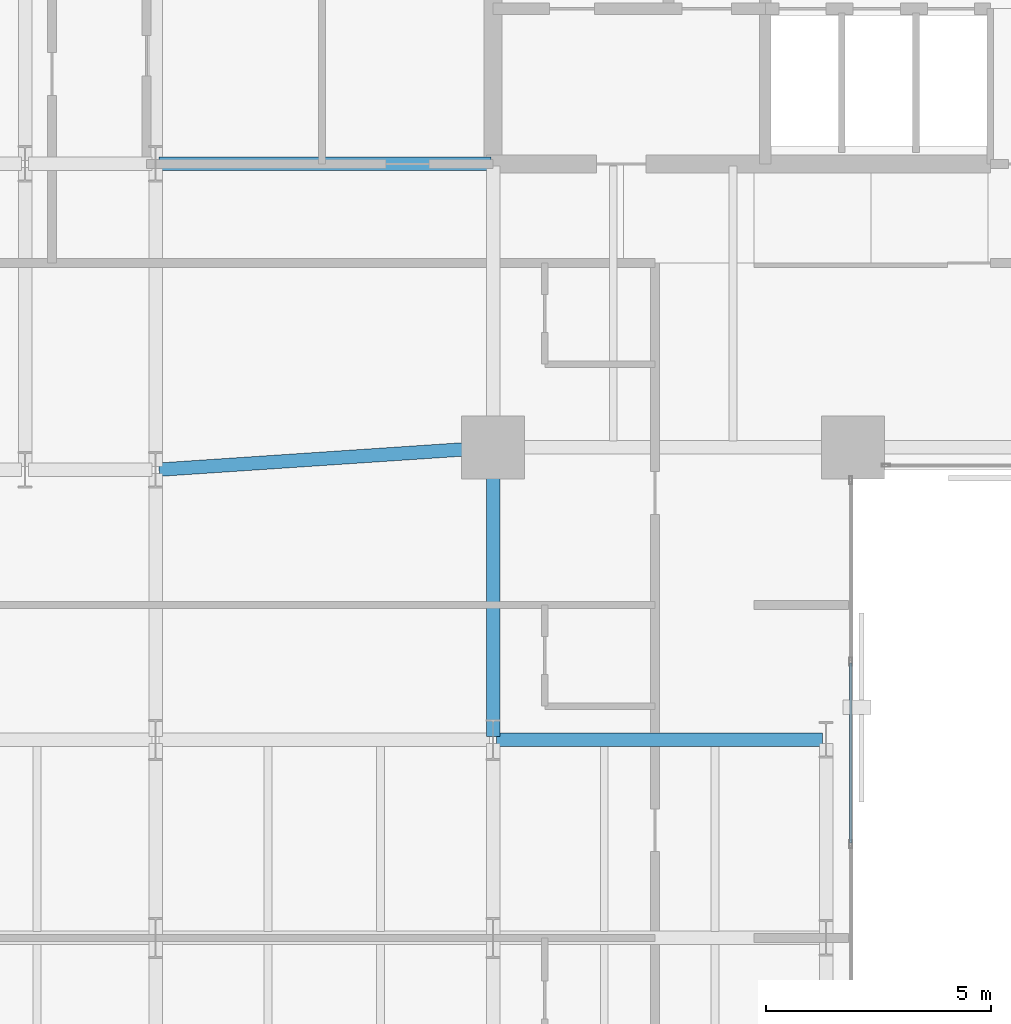
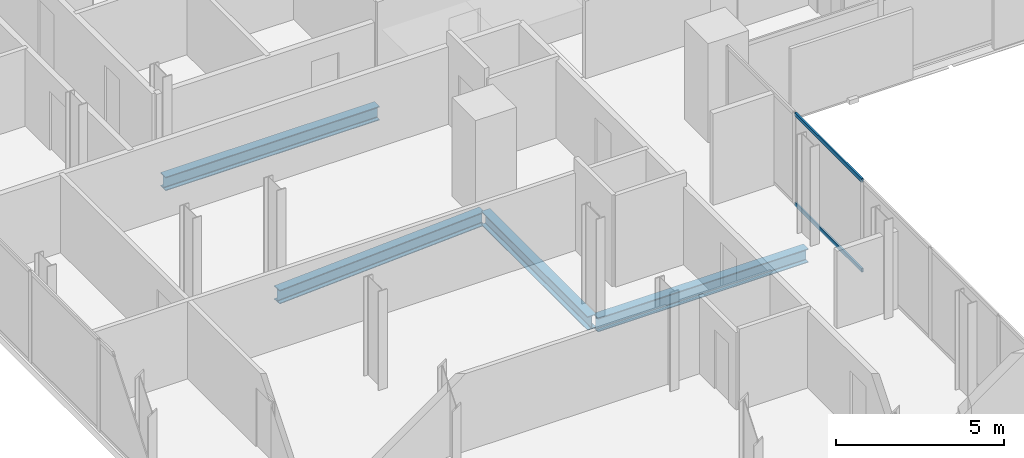
# One storey, part 12 of 33: 4 beams, 2 members, 1 element without a shape of its own.
"""IFC4 building model written with IfcOpenShell, lengths in metres."""

from ifc_helpers import new_model, si_unit, direction, frame, origin, origin_2d, place, context, subcontext, project, spatial, hollow_rectangle, i_section, extrude, material, layer, layer_set, material_profile, profile_set, type_object, element, aggregate, save


model = new_model("IFC4")

# Units and contexts
model_context = context("Model", 3, precision=1e-05, world=origin(), true_north=direction((0.0, 1.0)))
body_context = subcontext(model_context, "Body", "Model", "MODEL_VIEW")
ifc_project = project(units=[si_unit("LENGTHUNIT", "METRE"), si_unit("AREAUNIT", "SQUARE_METRE"), si_unit("VOLUMEUNIT", "CUBIC_METRE"), si_unit("PLANEANGLEUNIT", "RADIAN"), si_unit("MASSUNIT", "GRAM", prefix="KILO")], contexts=[model_context])

# Site, building, storey
site_placement = place(None, origin())
site = spatial("IfcSite", under=ifc_project, at=site_placement, CompositionType="ELEMENT")
building_placement = place(site_placement, origin())
building = spatial("IfcBuilding", under=site, at=building_placement, Name="Catumbela Crestline Tower", CompositionType="ELEMENT")
storey_placement = place(building_placement, frame((0.0, 0.0, 47.4)))
storey = spatial("IfcBuildingStorey", under=building, at=storey_placement, Name="L11", CompositionType="ELEMENT", Elevation=47.4)

# Beams
ifc_material_1 = material(Name="Structural steel S355J2", Category="steel")
ifc_material_profile_1 = material_profile(ifc_material_1, i_section(OverallWidth=0.3, OverallDepth=0.5, WebThickness=0.0145, FlangeThickness=0.028, FilletRadius=0.027, at=origin_2d()), Name="HEB 500")
ifc_profile_set_1 = profile_set([ifc_material_profile_1], Name="Structural steel S355J2")
beam_type = type_object("IfcBeamType", Name="BG-HEB500", PredefinedType="BEAM", material=ifc_profile_set_1)
beam_1_placement = place(storey_placement, frame((8.5798, 24.0053, -0.51), z_axis=(0.997784796964, 0.066524423687, 0.0), x_axis=(-0.066524423687, 0.997784796964, 0.0)))
element("IfcBeam", 1, at=beam_1_placement, inside=storey, type_object=beam_type, Name="L11 Beam BM-L11-S03", PredefinedType="BEAM", context=body_context, shape_type="SweptSolid", body=[
    extrude(i_section(OverallWidth=0.3, OverallDepth=0.5, WebThickness=0.0145, FlangeThickness=0.028, FilletRadius=0.027, at=origin_2d()), origin(), (0.0, 0.0, 1.0), 7.3567),
])
beam_2_placement = place(storey_placement, frame((8.58, 30.8, -0.51), z_axis=(1.0, 0.0, 0.0), x_axis=(0.0, 1.0, 0.0)))
element("IfcBeam", 2, at=beam_2_placement, inside=storey, type_object=beam_type, Name="L11 Beam BM-L11-M09", PredefinedType="BEAM", context=body_context, shape_type="SweptSolid", body=[
    extrude(i_section(OverallWidth=0.3, OverallDepth=0.5, WebThickness=0.0145, FlangeThickness=0.028, FilletRadius=0.027, at=origin_2d()), origin(), (0.0, 0.0, 1.0), 7.37),
])
beam_3_placement = place(storey_placement, frame((16.08, 18.0, -0.51), z_axis=(1.0, 0.0, 0.0), x_axis=(0.0, 1.0, 0.0)))
element("IfcBeam", 3, at=beam_3_placement, inside=storey, type_object=beam_type, Name="L11 Beam BM-L11-WEW56", PredefinedType="BEAM", context=body_context, shape_type="SweptSolid", body=[
    extrude(i_section(OverallWidth=0.3, OverallDepth=0.5, WebThickness=0.0145, FlangeThickness=0.028, FilletRadius=0.027, at=origin_2d()), origin(), (0.0, 0.0, 1.0), 7.24),
])
beam_4_placement = place(storey_placement, frame((16.0, 18.08, -0.51), z_axis=(0.0, 1.0, 0.0), x_axis=(-1.0, 0.0, 0.0)))
element("IfcBeam", 4, at=beam_4_placement, inside=storey, type_object=beam_type, Name="L11 Beam BM-L11-WNS67", PredefinedType="BEAM", context=body_context, shape_type="SweptSolid", body=[
    extrude(i_section(OverallWidth=0.3, OverallDepth=0.5, WebThickness=0.0145, FlangeThickness=0.028, FilletRadius=0.027, at=origin_2d()), origin(), (0.0, 0.0, 1.0), 6.34),
])

# Curtain wall, members
ifc_material_2 = material(Name="Aluminium alloy AW-6060-T66", Category="aluminium")
ifc_layer = layer(ifc_material_2, 0.18, Name="Aluminium alloy AW-6060-T66")
ifc_layer_set = layer_set([ifc_layer], Name="Aluminium alloy AW-6060-T66")
curtain_wall_type = type_object("IfcCurtainWallType", Name="CWU-Z1", PredefinedType="USERDEFINED", material=ifc_layer_set)
curtain_wall_placement = place(storey_placement, origin())
curtain_wall = element("IfcCurtainWall", 5, at=curtain_wall_placement, inside=storey, type_object=curtain_wall_type, Name="L11 Unitised Curtain Wall CW-L11-E2S1", ObjectType="UNITISED", PredefinedType="USERDEFINED")
ifc_material_profile_2 = material_profile(ifc_material_2, hollow_rectangle(XDim=0.06, YDim=0.14, WallThickness=0.004, at=origin_2d()), Name="ALU 140x60x4")
ifc_profile_set_2 = profile_set([ifc_material_profile_2], Name="Aluminium alloy AW-6060-T66")
member_type = type_object("IfcMemberType", Name="TRN-140X60", PredefinedType="USERDEFINED", material=ifc_profile_set_2)
member_1_placement = place(storey_placement, frame((23.95, 15.7125, 0.03), z_axis=(0.0, 1.0, 0.0), x_axis=(-1.0, 0.0, 0.0)))
member_1 = element("IfcMember", 6, at=member_1_placement, type_object=member_type, Name="CWU-Z1 transom 4.1", ObjectType="TRANSOM", PredefinedType="USERDEFINED", context=body_context, shape_type="SweptSolid", body=[
    extrude(hollow_rectangle(XDim=0.06, YDim=0.14, WallThickness=0.004, at=origin_2d()), origin(), (0.0, 0.0, 1.0), 3.995),
])
member_2_placement = place(storey_placement, frame((23.95, 15.7125, 3.3), z_axis=(0.0, 1.0, 0.0), x_axis=(-1.0, 0.0, 0.0)))
member_2 = element("IfcMember", 7, at=member_2_placement, type_object=member_type, Name="CWU-Z1 transom 4.2", ObjectType="TRANSOM", PredefinedType="USERDEFINED", context=body_context, shape_type="SweptSolid", body=[
    extrude(hollow_rectangle(XDim=0.06, YDim=0.14, WallThickness=0.004, at=origin_2d()), origin(), (0.0, 0.0, 1.0), 3.995),
])
aggregate(curtain_wall, [member_1, member_2])

save(model, "model.ifc")
